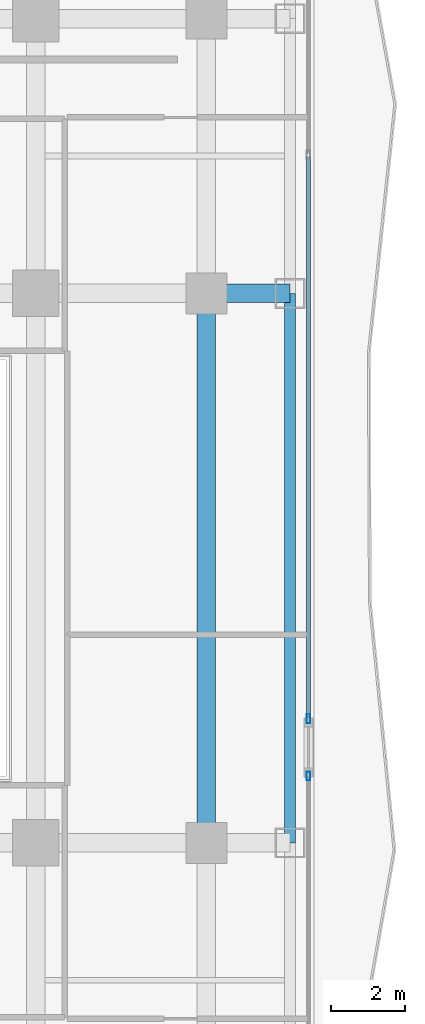
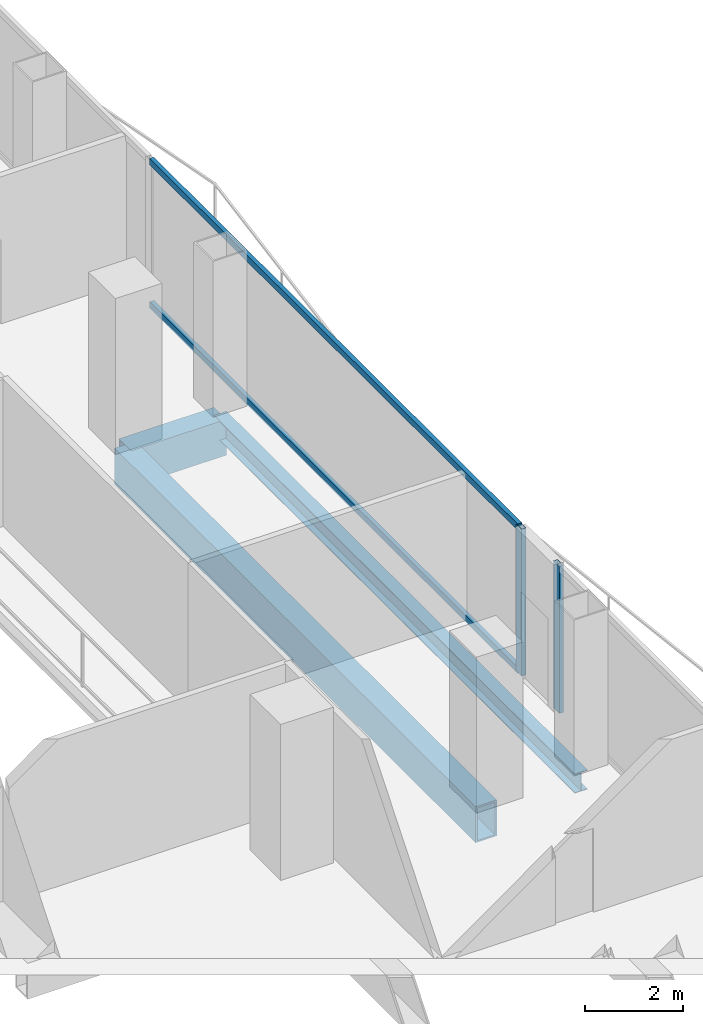
# One storey, part 8 of 29: 4 members, 3 beams, 2 elements without a shape of their own.
"""IFC4 building model written with IfcOpenShell, lengths in metres."""

from ifc_helpers import new_model, si_unit, direction, frame, origin, origin_2d, place, context, subcontext, project, spatial, hollow_rectangle, i_section, extrude, material, layer, layer_set, material_profile, profile_set, type_object, element, aggregate, save


model = new_model("IFC4")

# Units and contexts
model_context = context("Model", 3, precision=1e-05, world=origin(), true_north=direction((0.0, 1.0)))
body_context = subcontext(model_context, "Body", "Model", "MODEL_VIEW")
ifc_project = project(units=[si_unit("LENGTHUNIT", "METRE"), si_unit("AREAUNIT", "SQUARE_METRE"), si_unit("VOLUMEUNIT", "CUBIC_METRE"), si_unit("PLANEANGLEUNIT", "RADIAN"), si_unit("MASSUNIT", "GRAM", prefix="KILO")], contexts=[model_context])

# Site, building, storey
site_placement = place(None, origin())
site = spatial("IfcSite", under=ifc_project, at=site_placement, CompositionType="ELEMENT")
building_placement = place(site_placement, origin())
building = spatial("IfcBuilding", under=site, at=building_placement, Name="Khorvyn Point Tower", CompositionType="ELEMENT")
storey_placement = place(building_placement, frame((0.0, 0.0, 85.199951171875)))
storey = spatial("IfcBuildingStorey", under=building, at=storey_placement, Name="L21", CompositionType="ELEMENT", Elevation=85.199951171875)

# Curtain wall, member
ifc_material_1 = material(Name="Anodised aluminium 6063-T6 and laminated Low-E glass", Category="aluminium")
ifc_layer = layer(ifc_material_1, 0.18994140625)
ifc_layer_set = layer_set([ifc_layer], Name="Stick-Built Finned Residential Curtain Wall CW-SYS-02")
curtain_wall_type = type_object("IfcCurtainWallType", Name="Stick-Built Finned Residential Curtain Wall CW-SYS-02", PredefinedType="NOTDEFINED", material=ifc_layer_set)
curtain_wall_1_placement = place(storey_placement, origin())
curtain_wall_1 = element("IfcCurtainWall", 1, at=curtain_wall_1_placement, inside=storey, type_object=curtain_wall_type, Name="Curtain Wall", PredefinedType="NOTDEFINED")
ifc_material_2 = material(Name="Anodised aluminium 6063-T6", Category="aluminium")
ifc_material_profile_1 = material_profile(ifc_material_2, hollow_rectangle(XDim=0.10009765625, YDim=0.239990234375, WallThickness=0.0048828125, at=origin_2d()))
ifc_profile_set_1 = profile_set([ifc_material_profile_1], Name="Anodised aluminium 6063-T6 ALU-MUL-100x240")
member_type_1 = type_object("IfcMemberType", Name="Anodised Aluminium 6063-T6 Mullion ALU-MUL-100x240", PredefinedType="MULLION", material=ifc_profile_set_1)
member_1_placement = place(storey_placement, frame((22.14990234375, -4.06005859375, 0.0), z_axis=(0.0, 0.0, 1.0), x_axis=(1.0, 0.0, 0.0)))
member_1 = element("IfcMember", 2, at=member_1_placement, type_object=member_type_1, Name="Transom", PredefinedType="MULLION", context=body_context, shape_type="SweptSolid", body=[
    extrude(hollow_rectangle(XDim=0.10009765625, YDim=0.239990234375, WallThickness=0.0048828125, at=origin_2d()), origin(), (0.0, 0.0, 1.0), 3.679931640625),
])

curtain_wall_2_placement = place(storey_placement, origin())
curtain_wall_2 = element("IfcCurtainWall", 3, at=curtain_wall_2_placement, inside=storey, type_object=curtain_wall_type, Name="Curtain Wall", PredefinedType="NOTDEFINED")
member_2_placement = place(storey_placement, frame((22.14990234375, -5.60009765625, 0.0), z_axis=(0.0, 0.0, 1.0), x_axis=(1.0, 0.0, 0.0)))
member_2 = element("IfcMember", 4, at=member_2_placement, type_object=member_type_1, Name="Transom", PredefinedType="MULLION", context=body_context, shape_type="SweptSolid", body=[
    extrude(hollow_rectangle(XDim=0.10009765625, YDim=0.239990234375, WallThickness=0.0048828125, at=origin_2d()), origin(), (0.0, 0.0, 1.0), 3.679931640625),
])
aggregate(curtain_wall_2, [member_2])

# Member
ifc_material_profile_2 = material_profile(ifc_material_2, hollow_rectangle(XDim=0.10009765625, YDim=0.159912109375, WallThickness=0.00439453125, at=origin_2d()))
ifc_profile_set_2 = profile_set([ifc_material_profile_2], Name="Anodised aluminium 6063-T6 ALU-TRN-100x160")
member_type_2 = type_object("IfcMemberType", Name="Anodised Aluminium 6063-T6 Transom ALU-TRN-100x160", PredefinedType="USERDEFINED", material=ifc_profile_set_2)
member_3_placement = place(storey_placement, frame((22.14990234375, 11.070068359375, 0.050048828125), z_axis=(0.0, -1.0, 0.0), x_axis=(1.0, 0.0, 0.0)))
member_3 = element("IfcMember", 5, at=member_3_placement, type_object=member_type_2, Name="Transom", ObjectType="TRANSOM", PredefinedType="USERDEFINED", context=body_context, shape_type="SweptSolid", body=[
    extrude(hollow_rectangle(XDim=0.10009765625, YDim=0.159912109375, WallThickness=0.00439453125, at=origin_2d()), origin(), (0.0, 0.0, 1.0), 15.080078125),
])

member_4_placement = place(storey_placement, frame((22.14990234375, 11.070068359375, 3.630126953125), z_axis=(0.0, -1.0, 0.0), x_axis=(1.0, 0.0, 0.0)))
member_4 = element("IfcMember", 6, at=member_4_placement, type_object=member_type_2, Name="Transom", ObjectType="TRANSOM", PredefinedType="USERDEFINED", context=body_context, shape_type="SweptSolid", body=[
    extrude(hollow_rectangle(XDim=0.10009765625, YDim=0.159912109375, WallThickness=0.00439453125, at=origin_2d()), origin(), (0.0, 0.0, 1.0), 15.080078125),
])

aggregate(curtain_wall_1, [member_1, member_3, member_4])

# Beams
ifc_material_3 = material(Name="Steel S355", Category="steel")
ifc_material_profile_3 = material_profile(ifc_material_3, i_section(OverallWidth=0.300048828125, OverallDepth=0.488037109375, WebThickness=0.010986328125, FlangeThickness=0.01806640625, at=origin_2d()))
ifc_profile_set_3 = profile_set([ifc_material_profile_3], Name="Steel S355 H488x300x11x18")
beam_type_1 = type_object("IfcBeamType", Name="Steel S355 Spandrel H488x300x11x18", PredefinedType="SPANDREL", material=ifc_profile_set_3)
beam_1_placement = place(storey_placement, frame((21.64990234375, -7.39990234375, -0.52392578125), z_axis=(0.0, 1.0, 0.0), x_axis=(-1.0, 0.0, 0.0)))
element("IfcBeam", 7, at=beam_1_placement, inside=storey, type_object=beam_type_1, Name="Beam", PredefinedType="SPANDREL", context=body_context, shape_type="SweptSolid", body=[
    extrude(i_section(OverallWidth=0.300048828125, OverallDepth=0.488037109375, WebThickness=0.010986328125, FlangeThickness=0.01806640625, at=origin_2d()), origin(), (0.0, 0.0, 1.0), 14.7998046875),
])
ifc_material_4 = material(Name="Steel S450", Category="steel")
ifc_material_profile_4 = material_profile(ifc_material_4, hollow_rectangle(XDim=0.5, YDim=0.89990234375, WallThickness=0.0400390625, at=origin_2d()))
ifc_profile_set_4 = profile_set([ifc_material_profile_4], Name="Steel S450 BOX900x500x40")
beam_type_2 = type_object("IfcBeamType", Name="Steel S450 Beam BOX900x500x40", PredefinedType="BEAM", material=ifc_profile_set_4)
beam_2_placement = place(storey_placement, frame((19.39990234375, 7.39990234375, -0.72998046875), z_axis=(1.0, 0.0, 0.0), x_axis=(0.0, 1.0, 0.0)))
element("IfcBeam", 8, at=beam_2_placement, inside=storey, type_object=beam_type_2, Name="Beam", PredefinedType="BEAM", context=body_context, shape_type="SweptSolid", body=[
    extrude(hollow_rectangle(XDim=0.5, YDim=0.89990234375, WallThickness=0.0400390625, at=origin_2d()), origin(), (0.0, 0.0, 1.0), 2.25),
])
beam_3_placement = place(storey_placement, frame((19.39990234375, -7.39990234375, -0.72998046875), z_axis=(0.0, 1.0, 0.0), x_axis=(-1.0, 0.0, 0.0)))
element("IfcBeam", 9, at=beam_3_placement, inside=storey, type_object=beam_type_2, Name="Beam", PredefinedType="BEAM", context=body_context, shape_type="SweptSolid", body=[
    extrude(hollow_rectangle(XDim=0.5, YDim=0.89990234375, WallThickness=0.0400390625, at=origin_2d()), origin(), (0.0, 0.0, 1.0), 14.7998046875),
])

save(model, "model.ifc")
